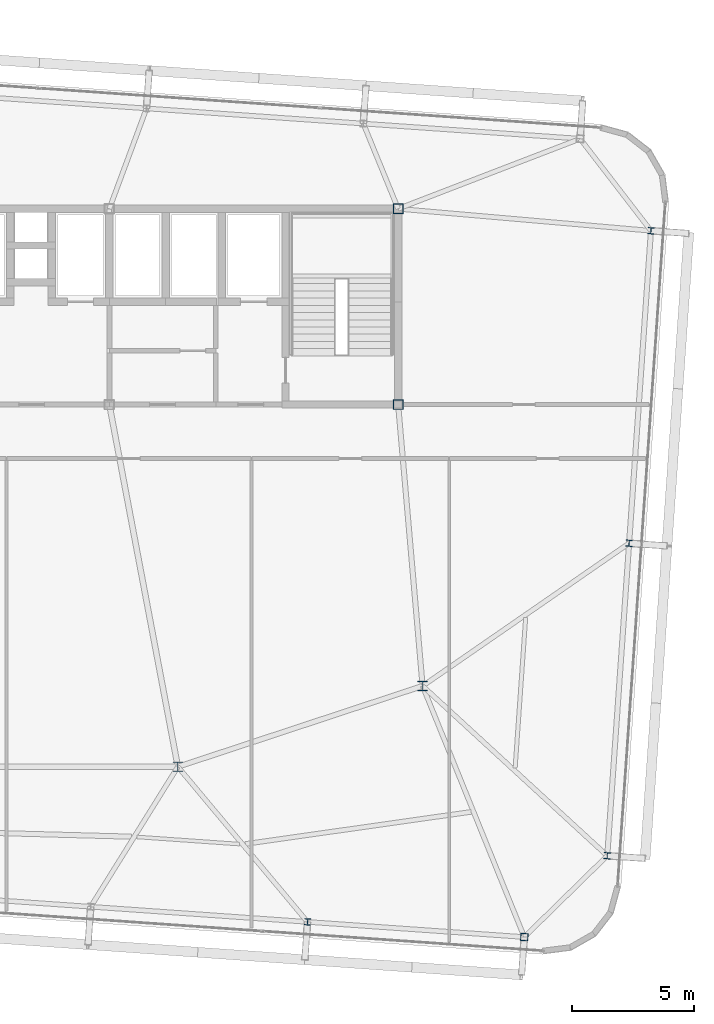
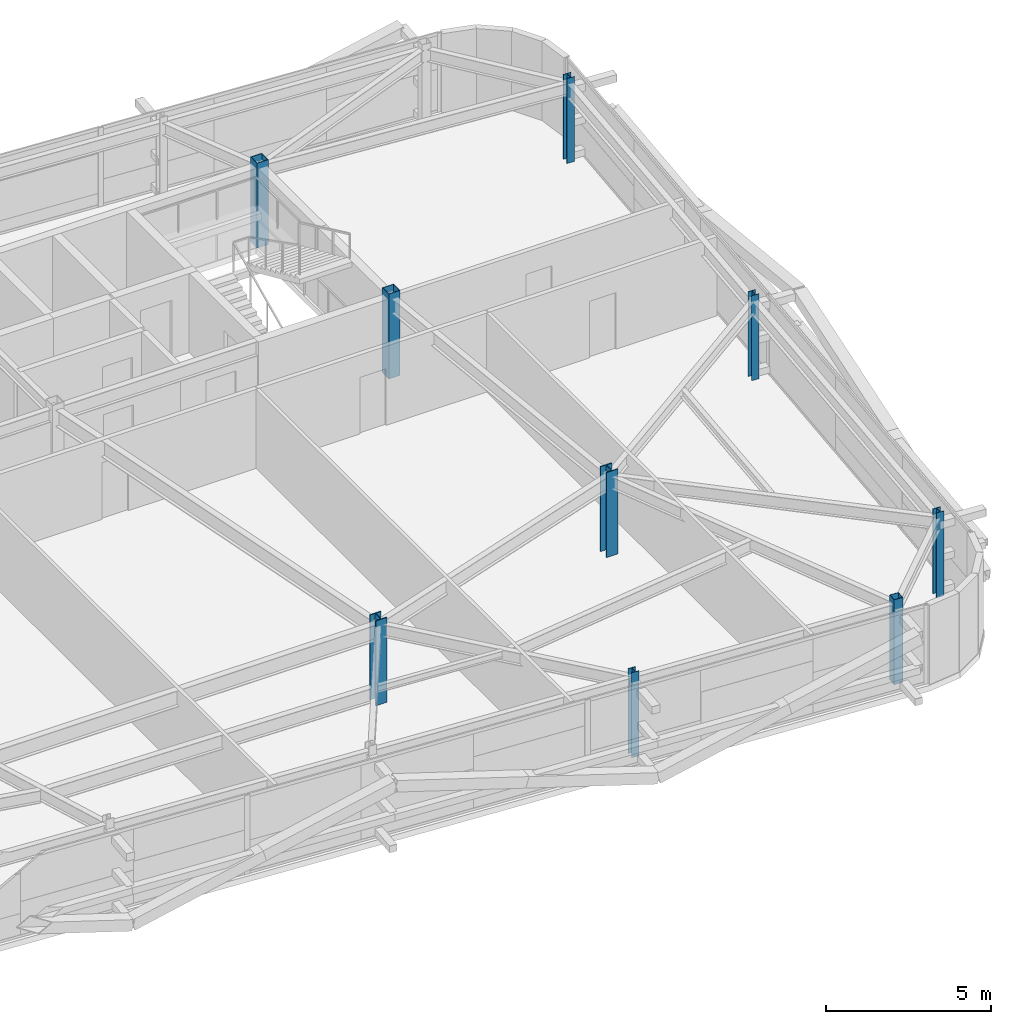
# One storey, part 3 of 39: 9 columns.
"""IFC4 building model written with IfcOpenShell, lengths in metres."""

import ifcopenshell
import ifcopenshell.guid

model = None  # the IFC model being written
_history = None  # IfcOwnerHistory: only IFC2X3 demands one
_inside = {}  # id of a spatial element -> (the spatial element, [elements in it])
_under = {}  # id of a project, library or spatial element -> (it, [spatial elements below it])
_declared = {}  # id of a project -> (the project, [libraries it declares])
_typed = {}  # id of a type object -> (the type object, [elements of that type])
_made_of = {}  # id of a material, layer set ... -> (it, [elements and type objects made of it])


def new_model(schema):
    """Start an empty IFC model of exactly this schema.

    Asked for "IFC4X3", IfcOpenShell would pick the latest addendum, in which some entities
    have other attributes; the version numbers below select the first issue.
    IFC2X3 requires an IfcOwnerHistory on every rooted entity: one is made here for all.
    """
    global model, _history
    if schema == "IFC4X3":
        model = ifcopenshell.file(schema_version=(4, 3, 0, 0))
    else:
        model = ifcopenshell.file(schema=schema)
    _inside.clear()
    _under.clear()
    _declared.clear()
    _typed.clear()
    _made_of.clear()
    _history = None
    if model.schema == "IFC2X3":
        org = make("IfcOrganization", Name="unknown")
        user = make(
            "IfcPersonAndOrganization",
            ThePerson=make("IfcPerson", FamilyName="unknown"),
            TheOrganization=org,
        )
        app = make(
            "IfcApplication",
            ApplicationDeveloper=org,
            Version="unknown",
            ApplicationFullName="unknown",
            ApplicationIdentifier="unknown",
        )
        _history = make(
            "IfcOwnerHistory",
            OwningUser=user,
            OwningApplication=app,
            ChangeAction="ADDED",
            CreationDate=0,
        )
    return model


def make(cls, **values):
    """One entity of the class cls with the attributes given. An attribute that is None is left unset."""
    return model.create_entity(
        cls, **{name: value for name, value in values.items() if value is not None}
    )


def rooted(cls, **values):
    """An entity with a GlobalId (a new one), such as an element, a storey or a relation."""
    return make(cls, GlobalId=ifcopenshell.guid.new(), OwnerHistory=_history, **values)


def si_unit(unit_type, name, prefix=None):
    """IfcSIUnit, for example si_unit("LENGTHUNIT", "METRE", prefix="MILLI")."""
    return make("IfcSIUnit", UnitType=unit_type, Prefix=prefix, Name=name)


def assignment(units):
    """IfcUnitAssignment: the units of a project."""
    return None if units is None else make("IfcUnitAssignment", Units=units)


def point(xyz):
    """IfcCartesianPoint."""
    return None if xyz is None else make("IfcCartesianPoint", Coordinates=xyz)


def direction(xyz):
    """IfcDirection."""
    return None if xyz is None else make("IfcDirection", DirectionRatios=xyz)


def frame(location, z_axis=None, x_axis=None):
    """IfcAxis2Placement3D, a coordinate frame: its origin and axes. An axis left out is left unset."""
    return make(
        "IfcAxis2Placement3D",
        Location=point(location),
        Axis=direction(z_axis),
        RefDirection=direction(x_axis),
    )


def frame_2d(location, x_axis=None):
    """IfcAxis2Placement2D, a coordinate frame in the plane: its origin and x axis."""
    return make(
        "IfcAxis2Placement2D", Location=point(location), RefDirection=direction(x_axis)
    )


def origin():
    """The frame at (0, 0, 0) with its axes left unset."""
    return frame((0.0, 0.0, 0.0))


def origin_2d():
    """The frame at (0, 0) in the plane with its x axis left unset."""
    return frame_2d((0.0, 0.0))


def place(relative_to, where):
    """IfcLocalPlacement: puts the frame where relative to a parent placement (None: the world)."""
    return make(
        "IfcLocalPlacement", PlacementRelTo=relative_to, RelativePlacement=where
    )


def context(
    kind, dimensions, precision=None, world=None, true_north=None, identifier=None
):
    """IfcGeometricRepresentationContext, for example the 3D "Model" context."""
    return make(
        "IfcGeometricRepresentationContext",
        ContextIdentifier=identifier,
        ContextType=kind,
        CoordinateSpaceDimension=dimensions,
        Precision=precision,
        WorldCoordinateSystem=world,
        TrueNorth=true_north,
    )


def subcontext(parent, identifier, kind, view, scale=None):
    """IfcGeometricRepresentationSubContext, for example "Body" below "Model"."""
    return make(
        "IfcGeometricRepresentationSubContext",
        ContextIdentifier=identifier,
        ContextType=kind,
        ParentContext=parent,
        TargetScale=scale,
        TargetView=view,
    )


def project(units=None, contexts=None):
    """IfcProject with its units and contexts."""
    return rooted(
        "IfcProject",
        Name="project",
        RepresentationContexts=contexts,
        UnitsInContext=assignment(units),
    )


def spatial(cls, under=None, at=None, **own):
    """A site, building, storey or space (cls), placed at a placement, below another one or the project."""
    s = rooted(cls, ObjectPlacement=at, **own)
    if under is not None:
        _under.setdefault(under.id(), (under, []))[1].append(s)
    return s


def profile(cls, at=None, kind="AREA", **sizes):
    """A parametric profile (cls). Its sizes go by their IFC names, for example OverallWidth=200.0."""
    return make(cls, ProfileType=kind, Position=at, **sizes)


def hollow_rectangle(**sizes):
    """IfcRectangleHollowProfileDef."""
    return profile("IfcRectangleHollowProfileDef", **sizes)


def i_section(**sizes):
    """IfcIShapeProfileDef."""
    return profile("IfcIShapeProfileDef", **sizes)


def extrude(swept, where, along, depth):
    """IfcExtrudedAreaSolid: the profile swept, set in the frame where, extruded along a direction by depth."""
    return make(
        "IfcExtrudedAreaSolid",
        SweptArea=swept,
        Position=where,
        ExtrudedDirection=direction(along),
        Depth=depth,
    )


def shape(context_of_items, identifier, shape_type, items):
    """IfcShapeRepresentation: the items that make up one representation, for example the "Body"."""
    return make(
        "IfcShapeRepresentation",
        ContextOfItems=context_of_items,
        RepresentationIdentifier=identifier,
        RepresentationType=shape_type,
        Items=items,
    )


def source(mapping_origin, context_of_items, identifier, shape_type, items):
    """IfcRepresentationMap: a shape defined once, which mapped items show again and again."""
    return make(
        "IfcRepresentationMap",
        MappingOrigin=mapping_origin,
        MappedRepresentation=shape(context_of_items, identifier, shape_type, items),
    )


def transform(
    local_origin,
    x_axis=None,
    y_axis=None,
    z_axis=None,
    scale=None,
    scale2=None,
    scale3=None,
    uniform=True,
):
    """IfcCartesianTransformationOperator3D, or its non-uniform kind. x_axis, y_axis, z_axis: its Axis1, 2, 3."""
    if uniform:
        return make(
            "IfcCartesianTransformationOperator3D",
            Axis1=direction(x_axis),
            Axis2=direction(y_axis),
            LocalOrigin=point(local_origin),
            Scale=scale,
            Axis3=direction(z_axis),
        )
    return make(
        "IfcCartesianTransformationOperator3DnonUniform",
        Axis1=direction(x_axis),
        Axis2=direction(y_axis),
        LocalOrigin=point(local_origin),
        Scale=scale,
        Axis3=direction(z_axis),
        Scale2=scale2,
        Scale3=scale3,
    )


def mapped(mapping_source, mapping_target):
    """IfcMappedItem: shows the shape of a source again, moved by a transform."""
    return make(
        "IfcMappedItem", MappingSource=mapping_source, MappingTarget=mapping_target
    )


def material(Name=None, Category=None):
    """IfcMaterial."""
    return make("IfcMaterial", Name=Name, Category=Category)


def material_profile(
    of_material, cross_section, Name=None, Category=None, Priority=None
):
    """IfcMaterialProfile: a cross section and its material."""
    return make(
        "IfcMaterialProfile",
        Name=Name,
        Material=of_material,
        Profile=cross_section,
        Priority=Priority,
        Category=Category,
    )


def profile_set(profiles, Name=None, composite=None):
    """IfcMaterialProfileSet."""
    return make(
        "IfcMaterialProfileSet",
        Name=Name,
        MaterialProfiles=profiles,
        CompositeProfile=composite,
    )


def made_of(thing, what):
    """Note that an element or type object is made of a material, layer set ...; save() writes the relation."""
    if what is not None:
        _made_of.setdefault(what.id(), (what, []))[1].append(thing)
    return thing


def type_object(cls, material=None, **own):
    """A type object (cls), such as IfcWallType, which elements share."""
    return made_of(rooted(cls, **own), material)


def element(
    cls,
    number,
    at=None,
    inside=None,
    cuts=None,
    type_object=None,
    material=None,
    context=None,
    identifier="Body",
    shape_type=None,
    held_by="IfcProductDefinitionShape",
    body=None,
    shapes=None,
    **own,
):
    """One element of the class cls, such as IfcWall. Its Tag is "e" and its number.

    at: its placement. inside: the storey or other place that contains it. cuts: it is an
    opening in that element (IfcRelVoidsElement). A single representation is given by context,
    identifier, shape_type and body (its items); several are given by shapes. held_by: the class
    of the entity that holds the representations. save() writes the other relations.
    """
    e = rooted(cls, Tag="e%d" % number, ObjectPlacement=at, **own)
    if body is not None:
        shapes = [shape(context, identifier, shape_type, body)]
    if shapes is not None:
        e.Representation = make(held_by, Representations=shapes)
    if inside is not None:
        _inside.setdefault(inside.id(), (inside, []))[1].append(e)
    if cuts is not None:
        rooted(
            "IfcRelVoidsElement", RelatingBuildingElement=cuts, RelatedOpeningElement=e
        )
    if type_object is not None:
        _typed.setdefault(type_object.id(), (type_object, []))[1].append(e)
    return made_of(e, material)


def aggregate(whole, parts):
    """IfcRelAggregates: a whole, such as a stair, and the parts it consists of."""
    return rooted("IfcRelAggregates", RelatingObject=whole, RelatedObjects=parts)


def save(model, path):
    """Write the relations noted so far, then the file.

    IfcRelAggregates (storeys below a building ...), IfcRelContainedInSpatialStructure (elements
    in a storey), IfcRelDefinesByType, IfcRelAssociatesMaterial and IfcRelDeclares: one each for
    every whole, place, type object, material and project.
    """
    for whole, parts in _under.values():
        aggregate(whole, parts)
    for where, things in _inside.values():
        rooted(
            "IfcRelContainedInSpatialStructure",
            RelatedElements=things,
            RelatingStructure=where,
        )
    for kind, things in _typed.values():
        rooted("IfcRelDefinesByType", RelatedObjects=things, RelatingType=kind)
    for what, things in _made_of.values():
        rooted("IfcRelAssociatesMaterial", RelatedObjects=things, RelatingMaterial=what)
    for by, libraries in _declared.values():
        rooted("IfcRelDeclares", RelatingContext=by, RelatedDefinitions=libraries)
    model.write(path)


model = new_model("IFC4")

# Units and contexts
model_context = context("Model", 3, precision=1e-05, world=origin(), true_north=direction((0.0, 1.0)))
body_context = subcontext(model_context, "Body", "Model", "MODEL_VIEW")
ifc_project = project(units=[si_unit("LENGTHUNIT", "METRE"), si_unit("AREAUNIT", "SQUARE_METRE"), si_unit("VOLUMEUNIT", "CUBIC_METRE"), si_unit("PLANEANGLEUNIT", "RADIAN"), si_unit("MASSUNIT", "GRAM", prefix="KILO")], contexts=[model_context])

# Site, building, storey
site_placement = place(None, origin())
site = spatial("IfcSite", under=ifc_project, at=site_placement, CompositionType="ELEMENT")
building_placement = place(site_placement, origin())
building = spatial("IfcBuilding", under=site, at=building_placement, Name="Taldren Reach Tower", CompositionType="ELEMENT")
storey_placement = place(building_placement, frame((0.0, 0.0, 145.60009765625)))
storey = spatial("IfcBuildingStorey", under=building, at=storey_placement, Name="L44", CompositionType="ELEMENT", Elevation=145.60009765625)

# Columns
ifc_material_1 = material(Name="Steel Gr 350 (350PLUS)", Category="steel")
ifc_material_profile_1 = material_profile(ifc_material_1, i_section(OverallWidth=0.39990234375, OverallDepth=0.39599609375, WebThickness=0.02197265625, FlangeThickness=0.033935546875, at=origin_2d()), Name="400WC270")
ifc_profile_set_1 = profile_set([ifc_material_profile_1], Name="Steel Gr 350 (350PLUS)")
column_type_1 = type_object("IfcColumnType", Name="COL-WC400", PredefinedType="COLUMN", material=ifc_profile_set_1)
shared_shape_1 = source(origin(), body_context, "Body", "SweptSolid", [
    extrude(i_section(OverallWidth=0.39990234375, OverallDepth=0.39599609375, WebThickness=0.02197265625, FlangeThickness=0.033935546875, at=origin_2d()), origin(), (0.0, 0.0, 1.0), 3.14990234375),
])
for number, where, z_axis, x_axis, name in (
    (1, (42.0, 9.199951171875, 0.0), (0.0, 0.0, 1.0), (1.0, 0.0, 0.0), "Mega column MC-PJE L44"),
    (2, (52.0, 12.5, 0.0), (0.0, 0.0, 1.0), (1.0, 0.0, 0.0), "Mega column MC-SE L44"),
):
    element("IfcColumn", number, at=place(storey_placement, frame(where, z_axis=z_axis, x_axis=x_axis)), inside=storey, type_object=column_type_1, Name=name, PredefinedType="COLUMN", context=body_context, shape_type="MappedRepresentation", body=[
        mapped(shared_shape_1, transform((0.0, 0.0, 0.0), scale=1.0)),
    ])
ifc_material_2 = material(Name="Steel Gr 450 (C450L0)", Category="steel")
ifc_material_profile_2 = material_profile(ifc_material_2, hollow_rectangle(XDim=0.39990234375, YDim=0.39990234375, WallThickness=0.01611328125, at=origin_2d()), Name="400x400x16.0SHS")
ifc_profile_set_2 = profile_set([ifc_material_profile_2], Name="Steel Gr 450 (C450L0)")
column_type_2 = type_object("IfcColumnType", Name="COL-SHS400", PredefinedType="COLUMN", material=ifc_profile_set_2)
shared_shape_2 = source(origin(), body_context, "Body", "SweptSolid", [
    extrude(hollow_rectangle(XDim=0.39990234375, YDim=0.39990234375, WallThickness=0.01611328125, at=origin_2d()), origin(), (0.0, 0.0, 1.0), 3.14990234375),
])
for number, where, z_axis, x_axis, name in (
    (3, (51.0, 24.0, 0.0), (0.0, 0.0, 1.0), (1.0, 0.0, 0.0), "Mega column MC-C4 L44"),
    (4, (51.0, 32.0, 0.0), (0.0, 0.0, 1.0), (1.0, 0.0, 0.0), "Mega column MC-C8 L44"),
):
    element("IfcColumn", number, at=place(storey_placement, frame(where, z_axis=z_axis, x_axis=x_axis)), inside=storey, type_object=column_type_2, Name=name, PredefinedType="COLUMN", context=body_context, shape_type="MappedRepresentation", body=[
        mapped(shared_shape_2, transform((0.0, 0.0, 0.0), scale=1.0)),
    ])
ifc_material_profile_3 = material_profile(ifc_material_2, hollow_rectangle(XDim=0.300048828125, YDim=0.300048828125, WallThickness=0.012451171875, at=origin_2d()), Name="300x300x12.5SHS")
ifc_profile_set_3 = profile_set([ifc_material_profile_3], Name="Steel Gr 450 (C450L0)")
column_type_3 = type_object("IfcColumnType", Name="COL-SHS300", PredefinedType="COLUMN", material=ifc_profile_set_3)
shared_shape_3 = source(origin(), body_context, "Body", "SweptSolid", [
    extrude(hollow_rectangle(XDim=0.300048828125, YDim=0.300048828125, WallThickness=0.012451171875, at=origin_2d()), origin(), (0.0, 0.0, 1.0), 3.14990234375),
])
column_placement = place(storey_placement, frame((56.155517578125, 2.2412109375, 0.0), z_axis=(0.0, 0.0, 1.0), x_axis=(0.99756405026, -0.069756473744, 0.0)))
element("IfcColumn", 5, at=column_placement, inside=storey, type_object=column_type_3, Name="Block B3 perimeter column S6 L44", PredefinedType="COLUMN", context=body_context, shape_type="MappedRepresentation", body=[
    mapped(shared_shape_3, transform((0.0, 0.0, 0.0), scale=1.0)),
])
ifc_material_profile_4 = material_profile(ifc_material_1, i_section(OverallWidth=0.256103515625, OverallDepth=0.260009765625, WebThickness=0.010498046875, FlangeThickness=0.017333984375, at=origin_2d()), Name="250UC89.5")
ifc_profile_set_4 = profile_set([ifc_material_profile_4], Name="Steel Gr 350 (350PLUS)")
column_type_4 = type_object("IfcColumnType", Name="COL-UC250", PredefinedType="COLUMN", material=ifc_profile_set_4)
shared_shape_4 = source(origin(), body_context, "Body", "SweptSolid", [
    extrude(i_section(OverallWidth=0.256103515625, OverallDepth=0.260009765625, WebThickness=0.010498046875, FlangeThickness=0.017333984375, at=origin_2d()), origin(), (0.0, 0.0, 1.0), 3.14990234375),
])
for number, where, z_axis, x_axis, name in (
    (6, (47.297119140625, 2.860595703125, 0.0), (0.0, 0.0, 1.0), (0.99756405026, -0.069756473744, 0.0), "Block B3 perimeter column S5 L44"),
    (7, (59.54541015625, 5.562744140625, 0.0), (0.0, 0.0, 1.0), (0.99756405026, -0.069756473744, 0.0), "Block B3 perimeter column E1 L44"),
    (8, (60.438232421875, 18.331787109375, 0.0), (0.0, 0.0, 1.0), (0.99756405026, -0.069756473744, 0.0), "Block B3 perimeter column E2 L44"),
    (9, (61.3310546875, 31.1005859375, 0.0), (0.0, 0.0, 1.0), (0.99756405026, -0.069756473744, 0.0), "Block B3 perimeter column E3 L44"),
):
    element("IfcColumn", number, at=place(storey_placement, frame(where, z_axis=z_axis, x_axis=x_axis)), inside=storey, type_object=column_type_4, Name=name, PredefinedType="COLUMN", context=body_context, shape_type="MappedRepresentation", body=[
        mapped(shared_shape_4, transform((0.0, 0.0, 0.0), scale=1.0)),
    ])

save(model, "model.ifc")
